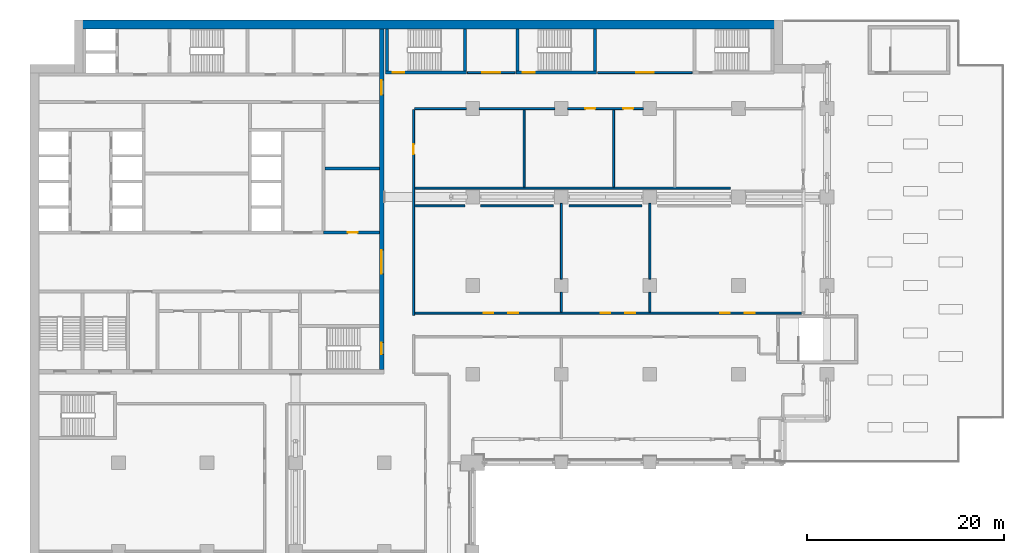
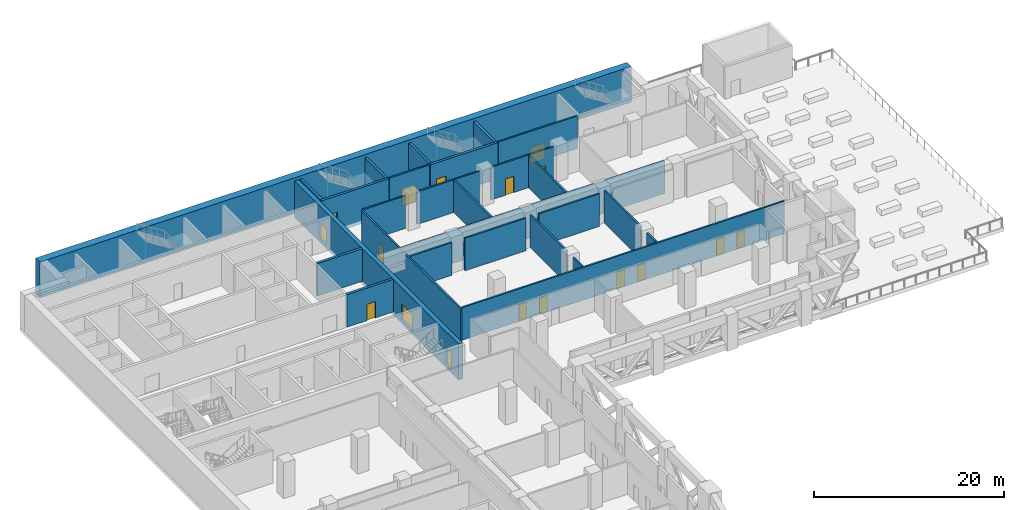
# One storey, part 13 of 24: 27 walls, 17 doors, 17 openings.
"""IFC4 building model written with IfcOpenShell, lengths in metres."""

import ifcopenshell
import ifcopenshell.guid

model = None  # the IFC model being written
_history = None  # IfcOwnerHistory: only IFC2X3 demands one
_inside = {}  # id of a spatial element -> (the spatial element, [elements in it])
_under = {}  # id of a project, library or spatial element -> (it, [spatial elements below it])
_declared = {}  # id of a project -> (the project, [libraries it declares])
_typed = {}  # id of a type object -> (the type object, [elements of that type])
_made_of = {}  # id of a material, layer set ... -> (it, [elements and type objects made of it])


def new_model(schema):
    """Start an empty IFC model of exactly this schema.

    Asked for "IFC4X3", IfcOpenShell would pick the latest addendum, in which some entities
    have other attributes; the version numbers below select the first issue.
    IFC2X3 requires an IfcOwnerHistory on every rooted entity: one is made here for all.
    """
    global model, _history
    if schema == "IFC4X3":
        model = ifcopenshell.file(schema_version=(4, 3, 0, 0))
    else:
        model = ifcopenshell.file(schema=schema)
    _inside.clear()
    _under.clear()
    _declared.clear()
    _typed.clear()
    _made_of.clear()
    _history = None
    if model.schema == "IFC2X3":
        org = make("IfcOrganization", Name="unknown")
        user = make(
            "IfcPersonAndOrganization",
            ThePerson=make("IfcPerson", FamilyName="unknown"),
            TheOrganization=org,
        )
        app = make(
            "IfcApplication",
            ApplicationDeveloper=org,
            Version="unknown",
            ApplicationFullName="unknown",
            ApplicationIdentifier="unknown",
        )
        _history = make(
            "IfcOwnerHistory",
            OwningUser=user,
            OwningApplication=app,
            ChangeAction="ADDED",
            CreationDate=0,
        )
    return model


def make(cls, **values):
    """One entity of the class cls with the attributes given. An attribute that is None is left unset."""
    return model.create_entity(
        cls, **{name: value for name, value in values.items() if value is not None}
    )


def rooted(cls, **values):
    """An entity with a GlobalId (a new one), such as an element, a storey or a relation."""
    return make(cls, GlobalId=ifcopenshell.guid.new(), OwnerHistory=_history, **values)


def si_unit(unit_type, name, prefix=None):
    """IfcSIUnit, for example si_unit("LENGTHUNIT", "METRE", prefix="MILLI")."""
    return make("IfcSIUnit", UnitType=unit_type, Prefix=prefix, Name=name)


def assignment(units):
    """IfcUnitAssignment: the units of a project."""
    return None if units is None else make("IfcUnitAssignment", Units=units)


def point(xyz):
    """IfcCartesianPoint."""
    return None if xyz is None else make("IfcCartesianPoint", Coordinates=xyz)


def direction(xyz):
    """IfcDirection."""
    return None if xyz is None else make("IfcDirection", DirectionRatios=xyz)


def frame(location, z_axis=None, x_axis=None):
    """IfcAxis2Placement3D, a coordinate frame: its origin and axes. An axis left out is left unset."""
    return make(
        "IfcAxis2Placement3D",
        Location=point(location),
        Axis=direction(z_axis),
        RefDirection=direction(x_axis),
    )


def frame_2d(location, x_axis=None):
    """IfcAxis2Placement2D, a coordinate frame in the plane: its origin and x axis."""
    return make(
        "IfcAxis2Placement2D", Location=point(location), RefDirection=direction(x_axis)
    )


def origin():
    """The frame at (0, 0, 0) with its axes left unset."""
    return frame((0.0, 0.0, 0.0))


def place(relative_to, where):
    """IfcLocalPlacement: puts the frame where relative to a parent placement (None: the world)."""
    return make(
        "IfcLocalPlacement", PlacementRelTo=relative_to, RelativePlacement=where
    )


def context(
    kind, dimensions, precision=None, world=None, true_north=None, identifier=None
):
    """IfcGeometricRepresentationContext, for example the 3D "Model" context."""
    return make(
        "IfcGeometricRepresentationContext",
        ContextIdentifier=identifier,
        ContextType=kind,
        CoordinateSpaceDimension=dimensions,
        Precision=precision,
        WorldCoordinateSystem=world,
        TrueNorth=true_north,
    )


def subcontext(parent, identifier, kind, view, scale=None):
    """IfcGeometricRepresentationSubContext, for example "Body" below "Model"."""
    return make(
        "IfcGeometricRepresentationSubContext",
        ContextIdentifier=identifier,
        ContextType=kind,
        ParentContext=parent,
        TargetScale=scale,
        TargetView=view,
    )


def project(units=None, contexts=None):
    """IfcProject with its units and contexts."""
    return rooted(
        "IfcProject",
        Name="project",
        RepresentationContexts=contexts,
        UnitsInContext=assignment(units),
    )


def spatial(cls, under=None, at=None, **own):
    """A site, building, storey or space (cls), placed at a placement, below another one or the project."""
    s = rooted(cls, ObjectPlacement=at, **own)
    if under is not None:
        _under.setdefault(under.id(), (under, []))[1].append(s)
    return s


def profile(cls, at=None, kind="AREA", **sizes):
    """A parametric profile (cls). Its sizes go by their IFC names, for example OverallWidth=200.0."""
    return make(cls, ProfileType=kind, Position=at, **sizes)


def rectangle(**sizes):
    """IfcRectangleProfileDef."""
    return profile("IfcRectangleProfileDef", **sizes)


def extrude(swept, where, along, depth):
    """IfcExtrudedAreaSolid: the profile swept, set in the frame where, extruded along a direction by depth."""
    return make(
        "IfcExtrudedAreaSolid",
        SweptArea=swept,
        Position=where,
        ExtrudedDirection=direction(along),
        Depth=depth,
    )


def shape(context_of_items, identifier, shape_type, items):
    """IfcShapeRepresentation: the items that make up one representation, for example the "Body"."""
    return make(
        "IfcShapeRepresentation",
        ContextOfItems=context_of_items,
        RepresentationIdentifier=identifier,
        RepresentationType=shape_type,
        Items=items,
    )


def material(Name=None, Category=None):
    """IfcMaterial."""
    return make("IfcMaterial", Name=Name, Category=Category)


def layer(
    of_material, thickness, ventilated=None, Name=None, Category=None, Priority=None
):
    """IfcMaterialLayer: one layer of a wall or slab, of a material (None: an air gap)."""
    return make(
        "IfcMaterialLayer",
        Material=of_material,
        LayerThickness=thickness,
        IsVentilated=ventilated,
        Name=Name,
        Category=Category,
        Priority=Priority,
    )


def layer_set(layers, Name=None):
    """IfcMaterialLayerSet."""
    return make("IfcMaterialLayerSet", MaterialLayers=layers, LayerSetName=Name)


def made_of(thing, what):
    """Note that an element or type object is made of a material, layer set ...; save() writes the relation."""
    if what is not None:
        _made_of.setdefault(what.id(), (what, []))[1].append(thing)
    return thing


def type_object(cls, material=None, **own):
    """A type object (cls), such as IfcWallType, which elements share."""
    return made_of(rooted(cls, **own), material)


def element(
    cls,
    number,
    at=None,
    inside=None,
    cuts=None,
    type_object=None,
    material=None,
    context=None,
    identifier="Body",
    shape_type=None,
    held_by="IfcProductDefinitionShape",
    body=None,
    shapes=None,
    **own,
):
    """One element of the class cls, such as IfcWall. Its Tag is "e" and its number.

    at: its placement. inside: the storey or other place that contains it. cuts: it is an
    opening in that element (IfcRelVoidsElement). A single representation is given by context,
    identifier, shape_type and body (its items); several are given by shapes. held_by: the class
    of the entity that holds the representations. save() writes the other relations.
    """
    e = rooted(cls, Tag="e%d" % number, ObjectPlacement=at, **own)
    if body is not None:
        shapes = [shape(context, identifier, shape_type, body)]
    if shapes is not None:
        e.Representation = make(held_by, Representations=shapes)
    if inside is not None:
        _inside.setdefault(inside.id(), (inside, []))[1].append(e)
    if cuts is not None:
        rooted(
            "IfcRelVoidsElement", RelatingBuildingElement=cuts, RelatedOpeningElement=e
        )
    if type_object is not None:
        _typed.setdefault(type_object.id(), (type_object, []))[1].append(e)
    return made_of(e, material)


def fill(opening, filler):
    """IfcRelFillsElement: the door or window that sits in an opening."""
    return rooted(
        "IfcRelFillsElement",
        RelatingOpeningElement=opening,
        RelatedBuildingElement=filler,
    )


def aggregate(whole, parts):
    """IfcRelAggregates: a whole, such as a stair, and the parts it consists of."""
    return rooted("IfcRelAggregates", RelatingObject=whole, RelatedObjects=parts)


def save(model, path):
    """Write the relations noted so far, then the file.

    IfcRelAggregates (storeys below a building ...), IfcRelContainedInSpatialStructure (elements
    in a storey), IfcRelDefinesByType, IfcRelAssociatesMaterial and IfcRelDeclares: one each for
    every whole, place, type object, material and project.
    """
    for whole, parts in _under.values():
        aggregate(whole, parts)
    for where, things in _inside.values():
        rooted(
            "IfcRelContainedInSpatialStructure",
            RelatedElements=things,
            RelatingStructure=where,
        )
    for kind, things in _typed.values():
        rooted("IfcRelDefinesByType", RelatedObjects=things, RelatingType=kind)
    for what, things in _made_of.values():
        rooted("IfcRelAssociatesMaterial", RelatedObjects=things, RelatingMaterial=what)
    for by, libraries in _declared.values():
        rooted("IfcRelDeclares", RelatingContext=by, RelatedDefinitions=libraries)
    model.write(path)


model = new_model("IFC4")

# Units and contexts
model_context = context("Model", 3, precision=1e-05, world=origin(), true_north=direction((0.0, 1.0)))
body_context = subcontext(model_context, "Body", "Model", "MODEL_VIEW")
ifc_project = project(units=[si_unit("LENGTHUNIT", "METRE"), si_unit("AREAUNIT", "SQUARE_METRE"), si_unit("VOLUMEUNIT", "CUBIC_METRE"), si_unit("PLANEANGLEUNIT", "RADIAN"), si_unit("MASSUNIT", "GRAM", prefix="KILO")], contexts=[model_context])

# Site, building, storey
site_placement = place(None, origin())
site = spatial("IfcSite", under=ifc_project, at=site_placement, CompositionType="ELEMENT")
building_placement = place(site_placement, origin())
building = spatial("IfcBuilding", under=site, at=building_placement, Name="Hunhe Ridgeline Campus", CompositionType="ELEMENT")
storey_placement = place(building_placement, frame((0.0, 0.0, 80.199951171875)))
storey = spatial("IfcBuildingStorey", under=building, at=storey_placement, Name="L19", CompositionType="ELEMENT", Elevation=80.199951171875)

# Wall
ifc_material_1 = material(Name="Masonry concrete blockwork", Category="masonry")
ifc_layer_1 = layer(ifc_material_1, 0.300048828125)
ifc_layer_set_1 = layer_set([ifc_layer_1], Name="Core room partition 300 concrete block")
wall_type_1 = type_object("IfcWallType", Name="Core room partition 300 concrete block", PredefinedType="PARTITIONING", material=ifc_layer_set_1)
wall_1_placement = place(storey_placement, frame((30.0, 83.89990234375, 0.0), z_axis=(0.0, 0.0, 1.0), x_axis=(1.0, 0.0, 0.0)))
element("IfcWall", 1, at=wall_1_placement, inside=storey, type_object=wall_type_1, Name="L19 core partition 24", PredefinedType="PARTITIONING", context=body_context, shape_type="SweptSolid", body=[
    extrude(rectangle(XDim=5.5, YDim=0.300048828125, at=frame_2d((2.75, 0.0))), origin(), (0.0, 0.0, 1.0), 4.199951171875),
])

# Wall, openings, doors
ifc_material_2 = material(Name="Concrete C80", Category="concrete")
ifc_layer_2 = layer(ifc_material_2, 0.5)
ifc_layer_set_2 = layer_set([ifc_layer_2], Name="Core wall 500 reinforced concrete C80")
wall_type_2 = type_object("IfcWallType", Name="Core wall 500 reinforced concrete C80", PredefinedType="SOLIDWALL", material=ifc_layer_set_2)
wall_2_placement = place(storey_placement, frame((35.75, 63.5, -0.449951171875), z_axis=(0.0, 0.0, 1.0), x_axis=(0.0, 1.0, 0.0)))
wall_2 = element("IfcWall", 2, at=wall_2_placement, inside=storey, type_object=wall_type_2, Name="L19 core wall 65", PredefinedType="SOLIDWALL", context=body_context, shape_type="SweptSolid", body=[
    extrude(rectangle(XDim=34.60009765625, YDim=0.5, at=frame_2d((17.300048828125, 0.0))), origin(), (0.0, 0.0, 1.0), 4.64990234375),
])
opening_1_placement = place(wall_2_placement, frame((9.699951171875, 0.0, 0.449951171875)))
opening_1 = element("IfcOpeningElement", 3, at=opening_1_placement, cuts=wall_2, Name="Opening CD4", PredefinedType="OPENING", context=body_context, shape_type="SweptSolid", body=[
    extrude(rectangle(XDim=2.39990234375, YDim=2.10009765625, at=frame_2d((1.199951171875, 1.050048828125))), frame((0.0, 0.25, 0.0), z_axis=(0.0, -1.0, 0.0), x_axis=(1.0, 0.0, 0.0)), (0.0, 0.0, 1.0), 0.5),
])
opening_2_placement = place(wall_2_placement, frame((27.89990234375, 0.0, 0.449951171875)))
opening_2 = element("IfcOpeningElement", 4, at=opening_2_placement, cuts=wall_2, Name="Opening CD5", PredefinedType="OPENING", context=body_context, shape_type="SweptSolid", body=[
    extrude(rectangle(XDim=1.5, YDim=2.10009765625, at=frame_2d((0.75, 1.050048828125))), frame((0.0, 0.25, 0.0), z_axis=(0.0, -1.0, 0.0), x_axis=(1.0, 0.0, 0.0)), (0.0, 0.0, 1.0), 0.5),
])
opening_3_placement = place(wall_2_placement, frame((1.5, 0.0, 0.449951171875)))
opening_3 = element("IfcOpeningElement", 5, at=opening_3_placement, cuts=wall_2, Name="Opening CD15", PredefinedType="OPENING", context=body_context, shape_type="SweptSolid", body=[
    extrude(rectangle(XDim=1.199951171875, YDim=2.10009765625, at=frame_2d((0.60009765625, 1.050048828125))), frame((0.0, 0.25, 0.0), z_axis=(0.0, -1.0, 0.0), x_axis=(1.0, 0.0, 0.0)), (0.0, 0.0, 1.0), 0.5),
])
ifc_material_3 = material(Name="Anodised aluminium and glass", Category="aluminium")
door_type_1 = type_object("IfcDoorType", Name="Glazed double door 2400x2100", OperationType="DOUBLE_DOOR_SINGLE_SWING", PredefinedType="DOOR", material=ifc_material_3)
door_1_placement = place(opening_1_placement, frame((2.39990234375, 0.0, 0.0), z_axis=(0.0, 0.0, 1.0), x_axis=(-1.0, 0.0, 0.0)))
door_1 = element("IfcDoor", 6, at=door_1_placement, inside=storey, type_object=door_type_1, Name="L19 door HALL-FLOOR", OperationType="DOUBLE_DOOR_SINGLE_SWING", OverallHeight=2.10009765625, OverallWidth=2.39990234375, PredefinedType="DOOR", context=body_context, shape_type="SweptSolid", body=[
    extrude(rectangle(XDim=2.39990234375, YDim=2.10009765625, at=frame_2d((1.199951171875, 1.050048828125))), frame((0.0, 0.02490234375, 0.0), z_axis=(0.0, -1.0, 0.0), x_axis=(1.0, 0.0, 0.0)), (0.0, 0.0, 1.0), 0.050048828125),
])
fill(opening_1, door_1)
ifc_material_4 = material(Name="Hollow metal fire door leaf")
door_type_2 = type_object("IfcDoorType", Name="Stair door 1200x2100 FD60", OperationType="SINGLE_SWING_LEFT", PredefinedType="DOOR", material=ifc_material_4)
door_2_placement = place(opening_3_placement, frame((1.199951171875, 0.0, 0.0), z_axis=(0.0, 0.0, 1.0), x_axis=(-1.0, 0.0, 0.0)))
door_2 = element("IfcDoor", 7, at=door_2_placement, inside=storey, type_object=door_type_2, Name="L19 door S2-FLOOR", OperationType="SINGLE_SWING_RIGHT", OverallHeight=2.10009765625, OverallWidth=1.199951171875, PredefinedType="DOOR", context=body_context, shape_type="SweptSolid", body=[
    extrude(rectangle(XDim=1.199951171875, YDim=2.10009765625, at=frame_2d((0.60009765625, 1.050048828125))), frame((0.0, 0.02490234375, 0.0), z_axis=(0.0, -1.0, 0.0), x_axis=(1.0, 0.0, 0.0)), (0.0, 0.0, 1.0), 0.050048828125),
])
fill(opening_3, door_2)
ifc_material_5 = material(Name="Solid core timber door leaf", Category="wood")
door_type_3 = type_object("IfcDoorType", Name="Timber door 1500x2100", OperationType="SINGLE_SWING_LEFT", PredefinedType="DOOR", material=ifc_material_5)
door_3_placement = place(opening_2_placement, frame((1.5, 0.0, 0.0), z_axis=(0.0, 0.0, 1.0), x_axis=(-1.0, 0.0, 0.0)))
door_3 = element("IfcDoor", 8, at=door_3_placement, inside=storey, type_object=door_type_3, Name="L19 door C1-FLOOR", OperationType="SINGLE_SWING_RIGHT", OverallHeight=2.10009765625, OverallWidth=1.5, PredefinedType="DOOR", context=body_context, shape_type="SweptSolid", body=[
    extrude(rectangle(XDim=1.5, YDim=2.10009765625, at=frame_2d((0.75, 1.050048828125))), frame((0.0, 0.02490234375, 0.0), z_axis=(0.0, -1.0, 0.0), x_axis=(1.0, 0.0, 0.0)), (0.0, 0.0, 1.0), 0.050048828125),
])
fill(opening_2, door_3)

ifc_material_6 = material(Name="Gypsum board partition")
ifc_layer_3 = layer(ifc_material_6, 0.199951171875)
ifc_layer_set_3 = layer_set([ifc_layer_3], Name="Corridor partition 200 gypsum board on steel studs")
wall_type_3 = type_object("IfcWallType", Name="Corridor partition 200 gypsum board on steel studs", PredefinedType="PARTITIONING", material=ifc_layer_set_3)
wall_3_placement = place(storey_placement, frame((39.10009765625, 69.199951171875, 0.0), z_axis=(0.0, 0.0, 1.0), x_axis=(1.0, 0.0, 0.0)))
wall_3 = element("IfcWall", 9, at=wall_3_placement, inside=storey, type_object=wall_type_3, Name="F-L19-wall-029", PredefinedType="PARTITIONING", context=body_context, shape_type="SweptSolid", body=[
    extrude(rectangle(XDim=39.2998046875, YDim=0.199951171875, at=frame_2d((19.64990234375, 0.0))), origin(), (0.0, 0.0, 1.0), 4.199951171875),
])
opening_4_placement = place(wall_3_placement, frame((7.009521484375, 0.0, 0.0)))
opening_4 = element("IfcOpeningElement", 10, at=opening_4_placement, cuts=wall_3, Name="Opening RD1-024", PredefinedType="OPENING", context=body_context, shape_type="SweptSolid", body=[
    extrude(rectangle(XDim=1.0, YDim=2.10009765625, at=frame_2d((0.5, 1.050048828125))), frame((0.0, 0.10009765625, 0.0), z_axis=(0.0, -1.0, 0.0), x_axis=(1.0, 0.0, 0.0)), (0.0, 0.0, 1.0), 0.199951171875),
])
opening_5_placement = place(wall_3_placement, frame((9.509521484375, 0.0, 0.0)))
opening_5 = element("IfcOpeningElement", 11, at=opening_5_placement, cuts=wall_3, Name="Opening RD1-025", PredefinedType="OPENING", context=body_context, shape_type="SweptSolid", body=[
    extrude(rectangle(XDim=1.0, YDim=2.10009765625, at=frame_2d((0.5, 1.050048828125))), frame((0.0, 0.10009765625, 0.0), z_axis=(0.0, -1.0, 0.0), x_axis=(1.0, 0.0, 0.0)), (0.0, 0.0, 1.0), 0.199951171875),
])
opening_6_placement = place(wall_3_placement, frame((18.899658203125, 0.0, 0.0)))
opening_6 = element("IfcOpeningElement", 12, at=opening_6_placement, cuts=wall_3, Name="Opening RD1-026", PredefinedType="OPENING", context=body_context, shape_type="SweptSolid", body=[
    extrude(rectangle(XDim=1.0, YDim=2.10009765625, at=frame_2d((0.5, 1.050048828125))), frame((0.0, 0.10009765625, 0.0), z_axis=(0.0, -1.0, 0.0), x_axis=(1.0, 0.0, 0.0)), (0.0, 0.0, 1.0), 0.199951171875),
])
opening_7_placement = place(wall_3_placement, frame((21.399658203125, 0.0, 0.0)))
opening_7 = element("IfcOpeningElement", 13, at=opening_7_placement, cuts=wall_3, Name="Opening RD1-027", PredefinedType="OPENING", context=body_context, shape_type="SweptSolid", body=[
    extrude(rectangle(XDim=1.0, YDim=2.10009765625, at=frame_2d((0.5, 1.050048828125))), frame((0.0, 0.10009765625, 0.0), z_axis=(0.0, -1.0, 0.0), x_axis=(1.0, 0.0, 0.0)), (0.0, 0.0, 1.0), 0.199951171875),
])
opening_8_placement = place(wall_3_placement, frame((31.0400390625, 0.0, 0.0)))
opening_8 = element("IfcOpeningElement", 14, at=opening_8_placement, cuts=wall_3, Name="Opening RD1-028", PredefinedType="OPENING", context=body_context, shape_type="SweptSolid", body=[
    extrude(rectangle(XDim=1.0, YDim=2.10009765625, at=frame_2d((0.5, 1.050048828125))), frame((0.0, 0.10009765625, 0.0), z_axis=(0.0, -1.0, 0.0), x_axis=(1.0, 0.0, 0.0)), (0.0, 0.0, 1.0), 0.199951171875),
])
opening_9_placement = place(wall_3_placement, frame((33.5400390625, 0.0, 0.0)))
opening_9 = element("IfcOpeningElement", 15, at=opening_9_placement, cuts=wall_3, Name="Opening RD1-029", PredefinedType="OPENING", context=body_context, shape_type="SweptSolid", body=[
    extrude(rectangle(XDim=1.0, YDim=2.10009765625, at=frame_2d((0.5, 1.050048828125))), frame((0.0, 0.10009765625, 0.0), z_axis=(0.0, -1.0, 0.0), x_axis=(1.0, 0.0, 0.0)), (0.0, 0.0, 1.0), 0.199951171875),
])
ifc_material_7 = material(Name="Timber door leaf", Category="wood")
door_type_4 = type_object("IfcDoorType", Name="Single fire door 1000x2100 timber FD60", OperationType="NOTDEFINED", PredefinedType="DOOR", material=ifc_material_7)
door_4_placement = place(opening_4_placement, frame((1.0, 0.0, 0.0), z_axis=(0.0, 0.0, 1.0), x_axis=(-1.0, 0.0, 0.0)))
door_4 = element("IfcDoor", 16, at=door_4_placement, inside=storey, type_object=door_type_4, Name="F-L19-door-024", OperationType="SINGLE_SWING_RIGHT", OverallHeight=2.10009765625, OverallWidth=1.0, PredefinedType="DOOR", context=body_context, shape_type="SweptSolid", body=[
    extrude(rectangle(XDim=1.0, YDim=2.10009765625, at=frame_2d((0.5, 1.050048828125))), frame((0.0, 0.02490234375, 0.0), z_axis=(0.0, -1.0, 0.0), x_axis=(1.0, 0.0, 0.0)), (0.0, 0.0, 1.0), 0.050048828125),
])
fill(opening_4, door_4)
door_5_placement = place(opening_5_placement, frame((1.0, 0.0, 0.0), z_axis=(0.0, 0.0, 1.0), x_axis=(-1.0, 0.0, 0.0)))
door_5 = element("IfcDoor", 17, at=door_5_placement, inside=storey, type_object=door_type_4, Name="F-L19-door-025", OperationType="SINGLE_SWING_LEFT", OverallHeight=2.10009765625, OverallWidth=1.0, PredefinedType="DOOR", context=body_context, shape_type="SweptSolid", body=[
    extrude(rectangle(XDim=1.0, YDim=2.10009765625, at=frame_2d((0.5, 1.050048828125))), frame((0.0, 0.02490234375, 0.0), z_axis=(0.0, -1.0, 0.0), x_axis=(1.0, 0.0, 0.0)), (0.0, 0.0, 1.0), 0.050048828125),
])
fill(opening_5, door_5)
door_6_placement = place(opening_6_placement, frame((1.0, 0.0, 0.0), z_axis=(0.0, 0.0, 1.0), x_axis=(-1.0, 0.0, 0.0)))
door_6 = element("IfcDoor", 18, at=door_6_placement, inside=storey, type_object=door_type_4, Name="F-L19-door-026", OperationType="SINGLE_SWING_LEFT", OverallHeight=2.10009765625, OverallWidth=1.0, PredefinedType="DOOR", context=body_context, shape_type="SweptSolid", body=[
    extrude(rectangle(XDim=1.0, YDim=2.10009765625, at=frame_2d((0.5, 1.050048828125))), frame((0.0, 0.02490234375, 0.0), z_axis=(0.0, -1.0, 0.0), x_axis=(1.0, 0.0, 0.0)), (0.0, 0.0, 1.0), 0.050048828125),
])
fill(opening_6, door_6)
door_7_placement = place(opening_7_placement, frame((1.0, 0.0, 0.0), z_axis=(0.0, 0.0, 1.0), x_axis=(-1.0, 0.0, 0.0)))
door_7 = element("IfcDoor", 19, at=door_7_placement, inside=storey, type_object=door_type_4, Name="F-L19-door-027", OperationType="SINGLE_SWING_LEFT", OverallHeight=2.10009765625, OverallWidth=1.0, PredefinedType="DOOR", context=body_context, shape_type="SweptSolid", body=[
    extrude(rectangle(XDim=1.0, YDim=2.10009765625, at=frame_2d((0.5, 1.050048828125))), frame((0.0, 0.02490234375, 0.0), z_axis=(0.0, -1.0, 0.0), x_axis=(1.0, 0.0, 0.0)), (0.0, 0.0, 1.0), 0.050048828125),
])
fill(opening_7, door_7)
door_8_placement = place(opening_8_placement, frame((1.0, 0.0, 0.0), z_axis=(0.0, 0.0, 1.0), x_axis=(-1.0, 0.0, 0.0)))
door_8 = element("IfcDoor", 20, at=door_8_placement, inside=storey, type_object=door_type_4, Name="F-L19-door-028", OperationType="SINGLE_SWING_LEFT", OverallHeight=2.10009765625, OverallWidth=1.0, PredefinedType="DOOR", context=body_context, shape_type="SweptSolid", body=[
    extrude(rectangle(XDim=1.0, YDim=2.10009765625, at=frame_2d((0.5, 1.050048828125))), frame((0.0, 0.02490234375, 0.0), z_axis=(0.0, -1.0, 0.0), x_axis=(1.0, 0.0, 0.0)), (0.0, 0.0, 1.0), 0.050048828125),
])
fill(opening_8, door_8)
door_9_placement = place(opening_9_placement, frame((1.0, 0.0, 0.0), z_axis=(0.0, 0.0, 1.0), x_axis=(-1.0, 0.0, 0.0)))
door_9 = element("IfcDoor", 21, at=door_9_placement, inside=storey, type_object=door_type_4, Name="F-L19-door-029", OperationType="SINGLE_SWING_LEFT", OverallHeight=2.10009765625, OverallWidth=1.0, PredefinedType="DOOR", context=body_context, shape_type="SweptSolid", body=[
    extrude(rectangle(XDim=1.0, YDim=2.10009765625, at=frame_2d((0.5, 1.050048828125))), frame((0.0, 0.02490234375, 0.0), z_axis=(0.0, -1.0, 0.0), x_axis=(1.0, 0.0, 0.0)), (0.0, 0.0, 1.0), 0.050048828125),
])
fill(opening_9, door_9)

# Walls
wall_4_placement = place(storey_placement, frame((39.10009765625, 80.10009765625, 0.0), z_axis=(0.0, 0.0, 1.0), x_axis=(1.0, 0.0, 0.0)))
element("IfcWall", 22, at=wall_4_placement, inside=storey, type_object=wall_type_3, Name="F-L19-wall-030", PredefinedType="PARTITIONING", context=body_context, shape_type="SweptSolid", body=[
    extrude(rectangle(XDim=5.099853515625, YDim=0.199951171875, at=frame_2d((2.5498046875, 0.0))), origin(), (0.0, 0.0, 1.0), 4.199951171875),
])
for number, where, z_axis, x_axis, name in (
    (23, (45.800048828125, 80.10009765625, 0.0), (0.0, 0.0, 1.0), (1.0, 0.0, 0.0), "F-L19-wall-031"),
    (24, (54.800048828125, 80.10009765625, 0.0), (0.0, 0.0, 1.0), (1.0, 0.0, 0.0), "F-L19-wall-032"),
):
    element("IfcWall", number, at=place(storey_placement, frame(where, z_axis=z_axis, x_axis=x_axis)), inside=storey, type_object=wall_type_3, Name=name, PredefinedType="PARTITIONING", context=body_context, shape_type="SweptSolid", body=[
        extrude(rectangle(XDim=7.39990234375, YDim=0.199951171875, at=frame_2d((3.699951171875, 0.0))), origin(), (0.0, 0.0, 1.0), 4.199951171875),
    ])
wall_5_placement = place(storey_placement, frame((39.10009765625, 81.89990234375, 0.0), z_axis=(0.0, 0.0, 1.0), x_axis=(1.0, 0.0, 0.0)))
element("IfcWall", 25, at=wall_5_placement, inside=storey, type_object=wall_type_3, Name="F-L19-wall-036", PredefinedType="PARTITIONING", context=body_context, shape_type="SweptSolid", body=[
    extrude(rectangle(XDim=32.099853515625, YDim=0.199951171875, at=frame_2d((16.0498046875, 0.0))), origin(), (0.0, 0.0, 1.0), 4.199951171875),
])
wall_6_placement = place(storey_placement, frame((44.35009765625, 90.0, 0.0), z_axis=(0.0, 0.0, 1.0), x_axis=(-1.0, 0.0, 0.0)))
element("IfcWall", 26, at=wall_6_placement, inside=storey, type_object=wall_type_3, Name="F-L19-wall-038", PredefinedType="PARTITIONING", context=body_context, shape_type="SweptSolid", body=[
    extrude(rectangle(XDim=5.25, YDim=0.199951171875, at=frame_2d((2.625, 0.0))), origin(), (0.0, 0.0, 1.0), 4.199951171875),
])
wall_7_placement = place(storey_placement, frame((53.35009765625, 90.0, 0.0), z_axis=(0.0, 0.0, 1.0), x_axis=(-1.0, 0.0, 0.0)))
element("IfcWall", 27, at=wall_7_placement, inside=storey, type_object=wall_type_3, Name="F-L19-wall-039", PredefinedType="PARTITIONING", context=body_context, shape_type="SweptSolid", body=[
    extrude(rectangle(XDim=7.7001953125, YDim=0.199951171875, at=frame_2d((3.85009765625, 0.0))), origin(), (0.0, 0.0, 1.0), 4.199951171875),
])

# Wall, openings, doors
wall_8_placement = place(storey_placement, frame((62.35009765625, 90.0, 0.0), z_axis=(0.0, 0.0, 1.0), x_axis=(-1.0, 0.0, 0.0)))
wall_8 = element("IfcWall", 28, at=wall_8_placement, inside=storey, type_object=wall_type_3, Name="F-L19-wall-040", PredefinedType="PARTITIONING", context=body_context, shape_type="SweptSolid", body=[
    extrude(rectangle(XDim=7.7001953125, YDim=0.199951171875, at=frame_2d((3.85009765625, 0.0))), origin(), (0.0, 0.0, 1.0), 4.199951171875),
])
opening_10_placement = place(wall_8_placement, frame((4.889892578125, 0.0, 0.0)))
opening_10 = element("IfcOpeningElement", 29, at=opening_10_placement, cuts=wall_8, Name="Opening RD1-031", PredefinedType="OPENING", context=body_context, shape_type="SweptSolid", body=[
    extrude(rectangle(XDim=1.0, YDim=2.10009765625, at=frame_2d((0.5, 1.050048828125))), frame((0.0, 0.10009765625, 0.0), z_axis=(0.0, -1.0, 0.0), x_axis=(1.0, 0.0, 0.0)), (0.0, 0.0, 1.0), 0.199951171875),
])
opening_11_placement = place(wall_8_placement, frame((1.0400390625, 0.0, 0.0)))
opening_11 = element("IfcOpeningElement", 30, at=opening_11_placement, cuts=wall_8, Name="Opening RD1-032", PredefinedType="OPENING", context=body_context, shape_type="SweptSolid", body=[
    extrude(rectangle(XDim=1.0, YDim=2.10009765625, at=frame_2d((0.5, 1.050048828125))), frame((0.0, 0.10009765625, 0.0), z_axis=(0.0, -1.0, 0.0), x_axis=(1.0, 0.0, 0.0)), (0.0, 0.0, 1.0), 0.199951171875),
])
door_10_placement = place(opening_10_placement, frame((1.0, 0.0, 0.0), z_axis=(0.0, 0.0, 1.0), x_axis=(-1.0, 0.0, 0.0)))
door_10 = element("IfcDoor", 31, at=door_10_placement, inside=storey, type_object=door_type_4, Name="F-L19-door-031", OperationType="SINGLE_SWING_LEFT", OverallHeight=2.10009765625, OverallWidth=1.0, PredefinedType="DOOR", context=body_context, shape_type="SweptSolid", body=[
    extrude(rectangle(XDim=1.0, YDim=2.10009765625, at=frame_2d((0.5, 1.050048828125))), frame((0.0, 0.02490234375, 0.0), z_axis=(0.0, -1.0, 0.0), x_axis=(1.0, 0.0, 0.0)), (0.0, 0.0, 1.0), 0.050048828125),
])
fill(opening_10, door_10)
door_11_placement = place(opening_11_placement, frame((1.0, 0.0, 0.0), z_axis=(0.0, 0.0, 1.0), x_axis=(-1.0, 0.0, 0.0)))
door_11 = element("IfcDoor", 32, at=door_11_placement, inside=storey, type_object=door_type_4, Name="F-L19-door-032", OperationType="SINGLE_SWING_RIGHT", OverallHeight=2.10009765625, OverallWidth=1.0, PredefinedType="DOOR", context=body_context, shape_type="SweptSolid", body=[
    extrude(rectangle(XDim=1.0, YDim=2.10009765625, at=frame_2d((0.5, 1.050048828125))), frame((0.0, 0.02490234375, 0.0), z_axis=(0.0, -1.0, 0.0), x_axis=(1.0, 0.0, 0.0)), (0.0, 0.0, 1.0), 0.050048828125),
])
fill(opening_11, door_11)

# Wall, opening, door
wall_9_placement = place(storey_placement, frame((44.4541015625, 93.64990234375, 0.0), z_axis=(0.0, 0.0, 1.0), x_axis=(1.0, 0.0, 0.0)))
wall_9 = element("IfcWall", 33, at=wall_9_placement, inside=storey, type_object=wall_type_3, Name="F-L19-wall-042", PredefinedType="PARTITIONING", context=body_context, shape_type="SweptSolid", body=[
    extrude(rectangle(XDim=4.841796875, YDim=0.199951171875, at=frame_2d((2.4208984375, 0.0))), origin(), (0.0, 0.0, 1.0), 4.199951171875),
])
opening_12_placement = place(wall_9_placement, frame((1.52099609375, 0.0, 0.0)))
opening_12 = element("IfcOpeningElement", 34, at=opening_12_placement, cuts=wall_9, Name="Opening RD2-033", PredefinedType="OPENING", context=body_context, shape_type="SweptSolid", body=[
    extrude(rectangle(XDim=1.800048828125, YDim=2.10009765625, at=frame_2d((0.89990234375, 1.050048828125))), frame((0.0, 0.10009765625, 0.0), z_axis=(0.0, -1.0, 0.0), x_axis=(1.0, 0.0, 0.0)), (0.0, 0.0, 1.0), 0.199951171875),
])
door_type_5 = type_object("IfcDoorType", Name="Double fire door 1800x2100 timber FD60", OperationType="DOUBLE_DOOR_SINGLE_SWING", PredefinedType="DOOR", material=ifc_material_7)
door_12_placement = place(opening_12_placement, origin())
door_12 = element("IfcDoor", 35, at=door_12_placement, inside=storey, type_object=door_type_5, Name="F-L19-door-033", OperationType="DOUBLE_DOOR_SINGLE_SWING", OverallHeight=2.10009765625, OverallWidth=1.800048828125, PredefinedType="DOOR", context=body_context, shape_type="SweptSolid", body=[
    extrude(rectangle(XDim=1.800048828125, YDim=2.10009765625, at=frame_2d((0.89990234375, 1.050048828125))), frame((0.0, 0.02490234375, 0.0), z_axis=(0.0, -1.0, 0.0), x_axis=(1.0, 0.0, 0.0)), (0.0, 0.0, 1.0), 0.050048828125),
])
fill(opening_12, door_12)

wall_10_placement = place(storey_placement, frame((57.7041015625, 93.64990234375, 0.0), z_axis=(0.0, 0.0, 1.0), x_axis=(1.0, 0.0, 0.0)))
wall_10 = element("IfcWall", 36, at=wall_10_placement, inside=storey, type_object=wall_type_3, Name="F-L19-wall-043", PredefinedType="PARTITIONING", context=body_context, shape_type="SweptSolid", body=[
    extrude(rectangle(XDim=9.591796875, YDim=0.199951171875, at=frame_2d((4.7958984375, 0.0))), origin(), (0.0, 0.0, 1.0), 4.199951171875),
])
opening_13_placement = place(wall_10_placement, frame((3.89599609375, 0.0, 0.0)))
opening_13 = element("IfcOpeningElement", 37, at=opening_13_placement, cuts=wall_10, Name="Opening RD2-034", PredefinedType="OPENING", context=body_context, shape_type="SweptSolid", body=[
    extrude(rectangle(XDim=1.800048828125, YDim=2.10009765625, at=frame_2d((0.89990234375, 1.050048828125))), frame((0.0, 0.10009765625, 0.0), z_axis=(0.0, -1.0, 0.0), x_axis=(1.0, 0.0, 0.0)), (0.0, 0.0, 1.0), 0.199951171875),
])
door_13_placement = place(opening_13_placement, origin())
door_13 = element("IfcDoor", 38, at=door_13_placement, inside=storey, type_object=door_type_5, Name="F-L19-door-034", OperationType="DOUBLE_DOOR_SINGLE_SWING", OverallHeight=2.10009765625, OverallWidth=1.800048828125, PredefinedType="DOOR", context=body_context, shape_type="SweptSolid", body=[
    extrude(rectangle(XDim=1.800048828125, YDim=2.10009765625, at=frame_2d((0.89990234375, 1.050048828125))), frame((0.0, 0.02490234375, 0.0), z_axis=(0.0, -1.0, 0.0), x_axis=(1.0, 0.0, 0.0)), (0.0, 0.0, 1.0), 0.050048828125),
])
fill(opening_13, door_13)

wall_11_placement = place(storey_placement, frame((39.0, 89.89990234375, 0.0), z_axis=(0.0, 0.0, 1.0), x_axis=(0.0, -1.0, 0.0)))
wall_11 = element("IfcWall", 39, at=wall_11_placement, inside=storey, type_object=wall_type_3, Name="F-L19-wall-060", PredefinedType="PARTITIONING", context=body_context, shape_type="SweptSolid", body=[
    extrude(rectangle(XDim=20.92041015625, YDim=0.199951171875, at=frame_2d((10.460205078125, 0.0))), origin(), (0.0, 0.0, 1.0), 4.199951171875),
])
opening_14_placement = place(wall_11_placement, frame((3.532958984375, 0.0, 0.0)))
opening_14 = element("IfcOpeningElement", 40, at=opening_14_placement, cuts=wall_11, Name="Opening RD1-030", PredefinedType="OPENING", context=body_context, shape_type="SweptSolid", body=[
    extrude(rectangle(XDim=1.0, YDim=2.10009765625, at=frame_2d((0.5, 1.050048828125))), frame((0.0, 0.10009765625, 0.0), z_axis=(0.0, -1.0, 0.0), x_axis=(1.0, 0.0, 0.0)), (0.0, 0.0, 1.0), 0.199951171875),
])
door_14_placement = place(opening_14_placement, frame((1.0, 0.0, 0.0), z_axis=(0.0, 0.0, 1.0), x_axis=(-1.0, 0.0, 0.0)))
door_14 = element("IfcDoor", 41, at=door_14_placement, inside=storey, type_object=door_type_4, Name="F-L19-door-030", OperationType="SINGLE_SWING_LEFT", OverallHeight=2.10009765625, OverallWidth=1.0, PredefinedType="DOOR", context=body_context, shape_type="SweptSolid", body=[
    extrude(rectangle(XDim=1.0, YDim=2.10009765625, at=frame_2d((0.5, 1.050048828125))), frame((0.0, 0.02490234375, 0.0), z_axis=(0.0, -1.0, 0.0), x_axis=(1.0, 0.0, 0.0)), (0.0, 0.0, 1.0), 0.050048828125),
])
fill(opening_14, door_14)

# Walls
wall_12_placement = place(storey_placement, frame((50.22998046875, 89.89990234375, 0.0), z_axis=(0.0, 0.0, 1.0), x_axis=(0.0, -1.0, 0.0)))
element("IfcWall", 42, at=wall_12_placement, inside=storey, type_object=wall_type_3, Name="F-L19-wall-063", PredefinedType="PARTITIONING", context=body_context, shape_type="SweptSolid", body=[
    extrude(rectangle(XDim=7.89990234375, YDim=0.199951171875, at=frame_2d((3.949951171875, 0.0))), origin(), (0.0, 0.0, 1.0), 4.199951171875),
])
wall_13_placement = place(storey_placement, frame((54.0, 71.35009765625, 0.0), z_axis=(0.0, 0.0, 1.0), x_axis=(0.0, -1.0, 0.0)))
element("IfcWall", 43, at=wall_13_placement, inside=storey, type_object=wall_type_3, Name="F-L19-wall-066", PredefinedType="PARTITIONING", context=body_context, shape_type="SweptSolid", body=[
    extrude(rectangle(XDim=2.050048828125, YDim=0.199951171875, at=frame_2d((1.02490234375, 0.0))), origin(), (0.0, 0.0, 1.0), 4.199951171875),
])
wall_14_placement = place(storey_placement, frame((54.0, 80.35009765625, 0.0), z_axis=(0.0, 0.0, 1.0), x_axis=(0.0, -1.0, 0.0)))
element("IfcWall", 44, at=wall_14_placement, inside=storey, type_object=wall_type_3, Name="F-L19-wall-067", PredefinedType="PARTITIONING", context=body_context, shape_type="SweptSolid", body=[
    extrude(rectangle(XDim=7.7001953125, YDim=0.199951171875, at=frame_2d((3.85009765625, 0.0))), origin(), (0.0, 0.0, 1.0), 4.199951171875),
])
wall_15_placement = place(storey_placement, frame((59.321044921875, 89.89990234375, 0.0), z_axis=(0.0, 0.0, 1.0), x_axis=(0.0, -1.0, 0.0)))
element("IfcWall", 45, at=wall_15_placement, inside=storey, type_object=wall_type_3, Name="F-L19-wall-068", PredefinedType="PARTITIONING", context=body_context, shape_type="SweptSolid", body=[
    extrude(rectangle(XDim=7.89990234375, YDim=0.199951171875, at=frame_2d((3.949951171875, 0.0))), origin(), (0.0, 0.0, 1.0), 4.199951171875),
])
wall_16_placement = place(storey_placement, frame((63.0, 71.35009765625, 0.0), z_axis=(0.0, 0.0, 1.0), x_axis=(0.0, -1.0, 0.0)))
element("IfcWall", 46, at=wall_16_placement, inside=storey, type_object=wall_type_3, Name="F-L19-wall-069", PredefinedType="PARTITIONING", context=body_context, shape_type="SweptSolid", body=[
    extrude(rectangle(XDim=2.050048828125, YDim=0.199951171875, at=frame_2d((1.02490234375, 0.0))), origin(), (0.0, 0.0, 1.0), 4.199951171875),
])
wall_17_placement = place(storey_placement, frame((63.0, 80.35009765625, 0.0), z_axis=(0.0, 0.0, 1.0), x_axis=(0.0, -1.0, 0.0)))
element("IfcWall", 47, at=wall_17_placement, inside=storey, type_object=wall_type_3, Name="F-L19-wall-070", PredefinedType="PARTITIONING", context=body_context, shape_type="SweptSolid", body=[
    extrude(rectangle(XDim=7.7001953125, YDim=0.199951171875, at=frame_2d((3.85009765625, 0.0))), origin(), (0.0, 0.0, 1.0), 4.199951171875),
])

# Wall, opening, door
ifc_layer_4 = layer(ifc_material_2, 0.300048828125)
ifc_layer_set_4 = layer_set([ifc_layer_4], Name="Lobby wall 300 reinforced concrete C80")
wall_type_4 = type_object("IfcWallType", Name="Lobby wall 300 reinforced concrete C80", PredefinedType="SOLIDWALL", material=ifc_layer_set_4)
wall_18_placement = place(storey_placement, frame((29.85009765625, 77.39990234375, 0.0), z_axis=(0.0, 0.0, 1.0), x_axis=(1.0, 0.0, 0.0)))
wall_18 = element("IfcWall", 48, at=wall_18_placement, inside=storey, type_object=wall_type_4, Name="L19 core wall 16", PredefinedType="SOLIDWALL", context=body_context, shape_type="SweptSolid", body=[
    extrude(rectangle(XDim=5.64990234375, YDim=0.300048828125, at=frame_2d((2.824951171875, 0.0))), origin(), (0.0, 0.0, 1.0), 4.199951171875),
])
opening_15_placement = place(wall_18_placement, frame((2.449951171875, 0.0, 0.0)))
opening_15 = element("IfcOpeningElement", 49, at=opening_15_placement, cuts=wall_18, Name="Opening CD32", PredefinedType="OPENING", context=body_context, shape_type="SweptSolid", body=[
    extrude(rectangle(XDim=1.0, YDim=2.10009765625, at=frame_2d((0.5, 1.050048828125))), frame((0.0, 0.14990234375, 0.0), z_axis=(0.0, -1.0, 0.0), x_axis=(1.0, 0.0, 0.0)), (0.0, 0.0, 1.0), 0.300048828125),
])
door_type_6 = type_object("IfcDoorType", Name="Timber door 1000x2100", OperationType="SINGLE_SWING_LEFT", PredefinedType="DOOR", material=ifc_material_5)
door_15_placement = place(opening_15_placement, origin())
door_15 = element("IfcDoor", 50, at=door_15_placement, inside=storey, type_object=door_type_6, Name="L19 door ES0", OperationType="SINGLE_SWING_LEFT", OverallHeight=2.10009765625, OverallWidth=1.0, PredefinedType="DOOR", context=body_context, shape_type="SweptSolid", body=[
    extrude(rectangle(XDim=1.0, YDim=2.10009765625, at=frame_2d((0.5, 1.050048828125))), frame((0.0, 0.02490234375, 0.0), z_axis=(0.0, -1.0, 0.0), x_axis=(1.0, 0.0, 0.0)), (0.0, 0.0, 1.0), 0.050048828125),
])
fill(opening_15, door_15)

# Wall
ifc_material_8 = material(Name="Concrete C70", Category="concrete")
ifc_layer_5 = layer(ifc_material_8, 0.89990234375)
ifc_layer_set_5 = layer_set([ifc_layer_5], Name="Spine wall 900 Concrete C70")
wall_type_5 = type_object("IfcWallType", Name="Spine wall 900 Concrete C70", PredefinedType="SHEAR", material=ifc_layer_set_5)
wall_19_placement = place(storey_placement, frame((76.5, 98.550048828125, 0.0), z_axis=(0.0, 0.0, 1.0), x_axis=(-1.0, 0.0, 0.0)))
element("IfcWall", 51, at=wall_19_placement, inside=storey, type_object=wall_type_5, Name="Spine wall SW2-4 L19", PredefinedType="SHEAR", context=body_context, shape_type="SweptSolid", body=[
    extrude(rectangle(XDim=72.0, YDim=0.89990234375, at=frame_2d((36.0, 0.0))), origin(), (0.0, 0.0, 1.0), 4.60009765625),
])

# Wall, opening, door
ifc_layer_6 = layer(ifc_material_2, 0.300048828125)
ifc_layer_set_6 = layer_set([ifc_layer_6], Name="Stair wall 300 reinforced concrete C80")
wall_type_6 = type_object("IfcWallType", Name="Stair wall 300 reinforced concrete C80", PredefinedType="SOLIDWALL", material=ifc_layer_set_6)
wall_20_placement = place(storey_placement, frame((36.14990234375, 93.64990234375, -0.449951171875), z_axis=(0.0, 0.0, 1.0), x_axis=(1.0, 0.0, 0.0)))
wall_20 = element("IfcWall", 52, at=wall_20_placement, inside=storey, type_object=wall_type_6, Name="L19 core wall 32", PredefinedType="SOLIDWALL", context=body_context, shape_type="SweptSolid", body=[
    extrude(rectangle(XDim=8.2001953125, YDim=0.300048828125, at=frame_2d((4.10009765625, 0.0))), origin(), (0.0, 0.0, 1.0), 4.64990234375),
])
opening_16_placement = place(wall_20_placement, frame((0.699951171875, 0.0, 0.449951171875)))
opening_16 = element("IfcOpeningElement", 53, at=opening_16_placement, cuts=wall_20, Name="Opening CD17", PredefinedType="OPENING", context=body_context, shape_type="SweptSolid", body=[
    extrude(rectangle(XDim=1.199951171875, YDim=2.10009765625, at=frame_2d((0.60009765625, 1.050048828125))), frame((0.0, 0.14990234375, 0.0), z_axis=(0.0, -1.0, 0.0), x_axis=(1.0, 0.0, 0.0)), (0.0, 0.0, 1.0), 0.300048828125),
])
door_16_placement = place(opening_16_placement, frame((1.199951171875, 0.0, 0.0), z_axis=(0.0, 0.0, 1.0), x_axis=(-1.0, 0.0, 0.0)))
door_16 = element("IfcDoor", 54, at=door_16_placement, inside=storey, type_object=door_type_2, Name="L19 door E1", OperationType="SINGLE_SWING_RIGHT", OverallHeight=2.10009765625, OverallWidth=1.199951171875, PredefinedType="DOOR", context=body_context, shape_type="SweptSolid", body=[
    extrude(rectangle(XDim=1.199951171875, YDim=2.10009765625, at=frame_2d((0.60009765625, 1.050048828125))), frame((0.0, 0.02490234375, 0.0), z_axis=(0.0, -1.0, 0.0), x_axis=(1.0, 0.0, 0.0)), (0.0, 0.0, 1.0), 0.050048828125),
])
fill(opening_16, door_16)

wall_21_placement = place(storey_placement, frame((49.39990234375, 93.64990234375, -0.449951171875), z_axis=(0.0, 0.0, 1.0), x_axis=(1.0, 0.0, 0.0)))
wall_21 = element("IfcWall", 55, at=wall_21_placement, inside=storey, type_object=wall_type_6, Name="L19 core wall 33", PredefinedType="SOLIDWALL", context=body_context, shape_type="SweptSolid", body=[
    extrude(rectangle(XDim=8.2001953125, YDim=0.300048828125, at=frame_2d((4.10009765625, 0.0))), origin(), (0.0, 0.0, 1.0), 4.64990234375),
])
opening_17_placement = place(wall_21_placement, frame((0.699951171875, 0.0, 0.449951171875)))
opening_17 = element("IfcOpeningElement", 56, at=opening_17_placement, cuts=wall_21, Name="Opening CD18", PredefinedType="OPENING", context=body_context, shape_type="SweptSolid", body=[
    extrude(rectangle(XDim=1.199951171875, YDim=2.10009765625, at=frame_2d((0.60009765625, 1.050048828125))), frame((0.0, 0.14990234375, 0.0), z_axis=(0.0, -1.0, 0.0), x_axis=(1.0, 0.0, 0.0)), (0.0, 0.0, 1.0), 0.300048828125),
])
door_17_placement = place(opening_17_placement, frame((1.199951171875, 0.0, 0.0), z_axis=(0.0, 0.0, 1.0), x_axis=(-1.0, 0.0, 0.0)))
door_17 = element("IfcDoor", 57, at=door_17_placement, inside=storey, type_object=door_type_2, Name="L19 door E2", OperationType="SINGLE_SWING_LEFT", OverallHeight=2.10009765625, OverallWidth=1.199951171875, PredefinedType="DOOR", context=body_context, shape_type="SweptSolid", body=[
    extrude(rectangle(XDim=1.199951171875, YDim=2.10009765625, at=frame_2d((0.60009765625, 1.050048828125))), frame((0.0, 0.02490234375, 0.0), z_axis=(0.0, -1.0, 0.0), x_axis=(1.0, 0.0, 0.0)), (0.0, 0.0, 1.0), 0.050048828125),
])
fill(opening_17, door_17)

# Walls
for number, where, z_axis, x_axis, name in (
    (58, (36.300048828125, 93.800048828125, -0.449951171875), (0.0, 0.0, 1.0), (0.0, 1.0, 0.0), "L19 core wall 66"),
    (59, (44.199951171875, 93.800048828125, -0.449951171875), (0.0, 0.0, 1.0), (0.0, 1.0, 0.0), "L19 core wall 67"),
    (60, (49.550048828125, 93.800048828125, -0.449951171875), (0.0, 0.0, 1.0), (0.0, 1.0, 0.0), "L19 core wall 68"),
    (61, (57.449951171875, 93.800048828125, -0.449951171875), (0.0, 0.0, 1.0), (0.0, 1.0, 0.0), "L19 core wall 69"),
):
    element("IfcWall", number, at=place(storey_placement, frame(where, z_axis=z_axis, x_axis=x_axis)), inside=storey, type_object=wall_type_6, Name=name, PredefinedType="SOLIDWALL", context=body_context, shape_type="SweptSolid", body=[
        extrude(rectangle(XDim=4.300048828125, YDim=0.300048828125, at=frame_2d((2.14990234375, 0.0))), origin(), (0.0, 0.0, 1.0), 4.64990234375),
    ])

save(model, "model.ifc")
